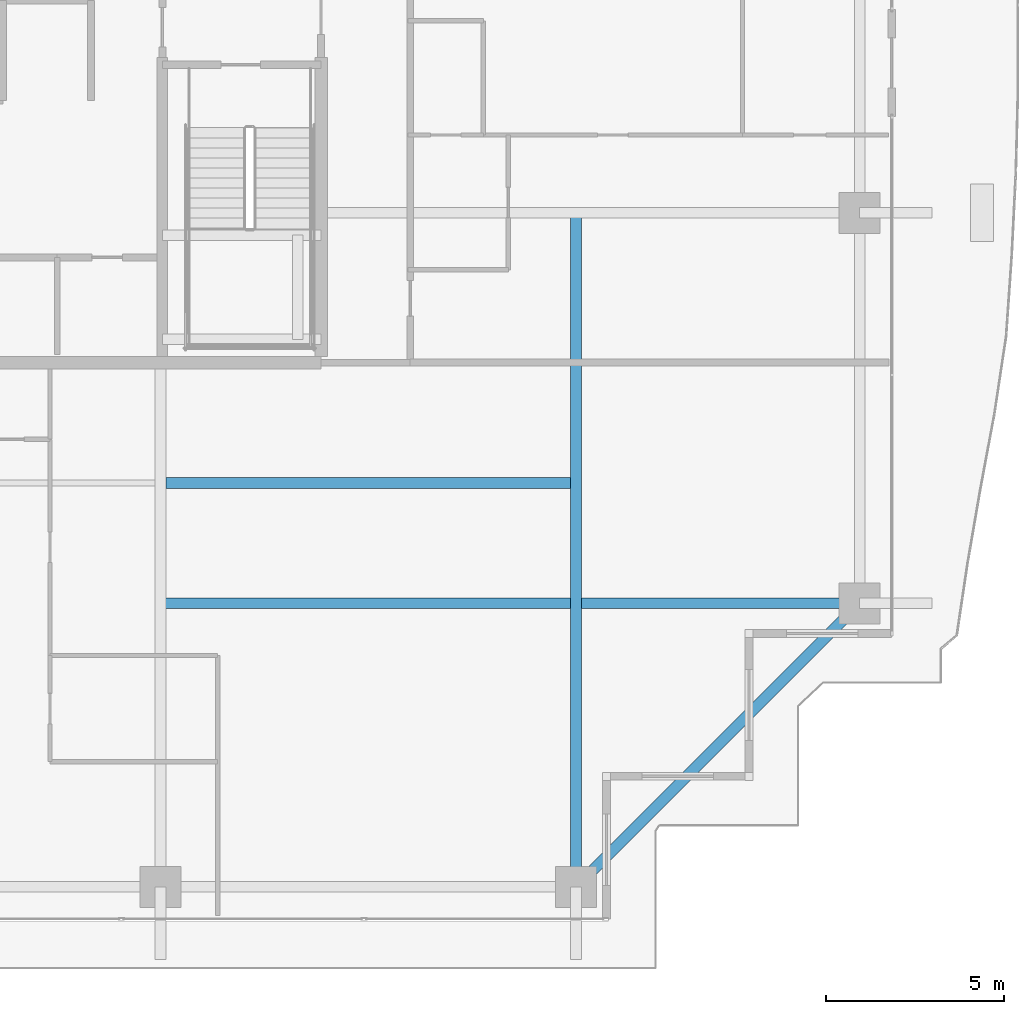
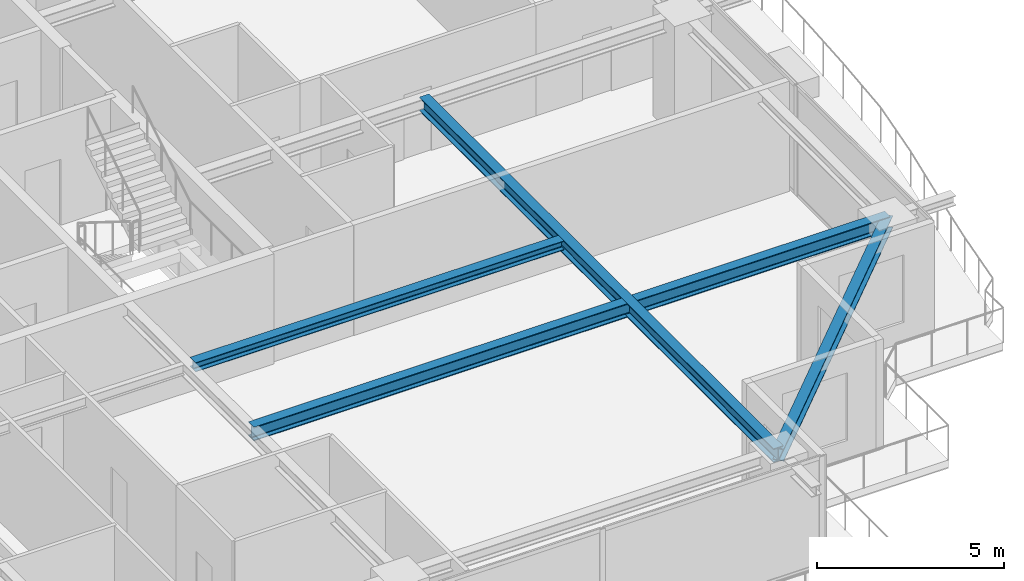
# One storey, part 12 of 37: 4 beams.
"""IFC4 building model written with IfcOpenShell, lengths in metres."""

from ifc_helpers import new_model, si_unit, direction, frame, origin, origin_2d, place, context, subcontext, project, spatial, i_section, extrude, source, transform, mapped, material, material_profile, profile_set, type_object, element, save


model = new_model("IFC4")

# Units and contexts
model_context = context("Model", 3, precision=1e-05, world=origin(), true_north=direction((0.0, 1.0)))
body_context = subcontext(model_context, "Body", "Model", "MODEL_VIEW")
ifc_project = project(units=[si_unit("LENGTHUNIT", "METRE"), si_unit("AREAUNIT", "SQUARE_METRE"), si_unit("VOLUMEUNIT", "CUBIC_METRE"), si_unit("PLANEANGLEUNIT", "RADIAN"), si_unit("MASSUNIT", "GRAM", prefix="KILO")], contexts=[model_context])

# Site, building, storey
site_placement = place(None, origin())
site = spatial("IfcSite", under=ifc_project, at=site_placement, CompositionType="ELEMENT")
building_placement = place(site_placement, origin())
building = spatial("IfcBuilding", under=site, at=building_placement, Name="Serunith Strait Residences", CompositionType="ELEMENT")
storey_placement = place(building_placement, frame((0.0, 0.0, 233.550048828125)))
storey = spatial("IfcBuildingStorey", under=building, at=storey_placement, Name="L58", CompositionType="ELEMENT", Elevation=233.550048828125)

# Beams
ifc_material = material(Name="Steel S355J2", Category="steel")
ifc_material_profile_1 = material_profile(ifc_material, i_section(OverallWidth=0.300048828125, OverallDepth=0.449951171875, WebThickness=0.013916015625, FlangeThickness=0.02587890625, FilletRadius=0.027099609375, at=origin_2d()), Name="HEB 450")
ifc_profile_set_1 = profile_set([ifc_material_profile_1], Name="Steel S355J2")
beam_type_1 = type_object("IfcBeamType", Name="BM-HEB450", PredefinedType="BEAM", material=ifc_profile_set_1)
shared_shape_1 = source(origin(), body_context, "Body", "SweptSolid", [
    extrude(i_section(OverallWidth=0.300048828125, OverallDepth=0.449951171875, WebThickness=0.013916015625, FlangeThickness=0.02587890625, FilletRadius=0.027099609375, at=origin_2d()), origin(), (0.0, 0.0, 1.0), 18.89990234375),
])
beam_1_placement = place(storey_placement, frame((48.550048828125, 21.0, 3.362060546875), z_axis=(0.0, -1.0, 0.0), x_axis=(1.0, 0.0, 0.0)))
element("IfcBeam", 1, at=beam_1_placement, inside=storey, type_object=beam_type_1, Name="L58 Orthogonal Corner Girder TC-S4", PredefinedType="BEAM", context=body_context, shape_type="MappedRepresentation", body=[
    mapped(shared_shape_1, transform((0.0, 0.0, 0.0), scale=1.0)),
])
shared_shape_2 = source(origin(), body_context, "Body", "SweptSolid", [
    extrude(i_section(OverallWidth=0.300048828125, OverallDepth=0.449951171875, WebThickness=0.013916015625, FlangeThickness=0.02587890625, FilletRadius=0.027099609375, at=origin_2d()), origin(), (0.0, 0.0, 1.0), 19.60009765625),
])
beam_2_placement = place(storey_placement, frame((36.89990234375, 10.050048828125, 3.362060546875), z_axis=(1.0, 0.0, 0.0), x_axis=(0.0, 1.0, 0.0)))
element("IfcBeam", 2, at=beam_2_placement, inside=storey, type_object=beam_type_1, Name="L58 Orthogonal Corner Girder TC-E1", PredefinedType="BEAM", context=body_context, shape_type="MappedRepresentation", body=[
    mapped(shared_shape_2, transform((0.0, 0.0, 0.0), scale=1.0)),
])
ifc_material_profile_2 = material_profile(ifc_material, i_section(OverallWidth=0.300048828125, OverallDepth=0.39990234375, WebThickness=0.013427734375, FlangeThickness=0.02392578125, FilletRadius=0.027099609375, at=origin_2d()), Name="HEB 400")
ifc_profile_set_2 = profile_set([ifc_material_profile_2], Name="Steel S355J2")
beam_type_2 = type_object("IfcBeamType", Name="BM-HEB400", PredefinedType="BEAM", material=ifc_profile_set_2)
shared_shape_3 = source(origin(), body_context, "Body", "SweptSolid", [
    extrude(i_section(OverallWidth=0.300048828125, OverallDepth=0.39990234375, WebThickness=0.013427734375, FlangeThickness=0.02392578125, FilletRadius=0.027099609375, at=origin_2d()), origin(), (0.0, 0.0, 1.0), 11.242919921875),
])
beam_3_placement = place(storey_placement, frame((48.550048828125, 2.10009765625, 3.35693359375), z_axis=(0.707106781187, 0.707106781187, 0.0), x_axis=(-0.707106781187, 0.707106781187, 0.0)))
element("IfcBeam", 3, at=beam_3_placement, inside=storey, type_object=beam_type_2, Name="L58 Perimeter Ring Beam 04", PredefinedType="BEAM", context=body_context, shape_type="MappedRepresentation", body=[
    mapped(shared_shape_3, transform((0.0, 0.0, 0.0), scale=1.0)),
])
ifc_material_profile_3 = material_profile(ifc_material, i_section(OverallWidth=0.300048828125, OverallDepth=0.300048828125, WebThickness=0.010986328125, FlangeThickness=0.01904296875, FilletRadius=0.027099609375, at=origin_2d()), Name="HEB 300")
ifc_profile_set_3 = profile_set([ifc_material_profile_3], Name="Steel S355J2")
beam_type_3 = type_object("IfcBeamType", Name="BM-HEB300", PredefinedType="JOIST", material=ifc_profile_set_3)
shared_shape_4 = source(origin(), body_context, "Body", "SweptSolid", [
    extrude(i_section(OverallWidth=0.300048828125, OverallDepth=0.300048828125, WebThickness=0.010986328125, FlangeThickness=0.01904296875, FilletRadius=0.027099609375, at=origin_2d()), origin(), (0.0, 0.0, 1.0), 11.349853515625),
])
beam_4_placement = place(storey_placement, frame((37.050048828125, 13.425048828125, 3.43701171875), z_axis=(1.0, 0.0, 0.0), x_axis=(0.0, 1.0, 0.0)))
element("IfcBeam", 4, at=beam_4_placement, inside=storey, type_object=beam_type_3, Name="L58 Composite Floor Joist 03", PredefinedType="JOIST", context=body_context, shape_type="MappedRepresentation", body=[
    mapped(shared_shape_4, transform((0.0, 0.0, 0.0), scale=1.0)),
])

save(model, "model.ifc")
